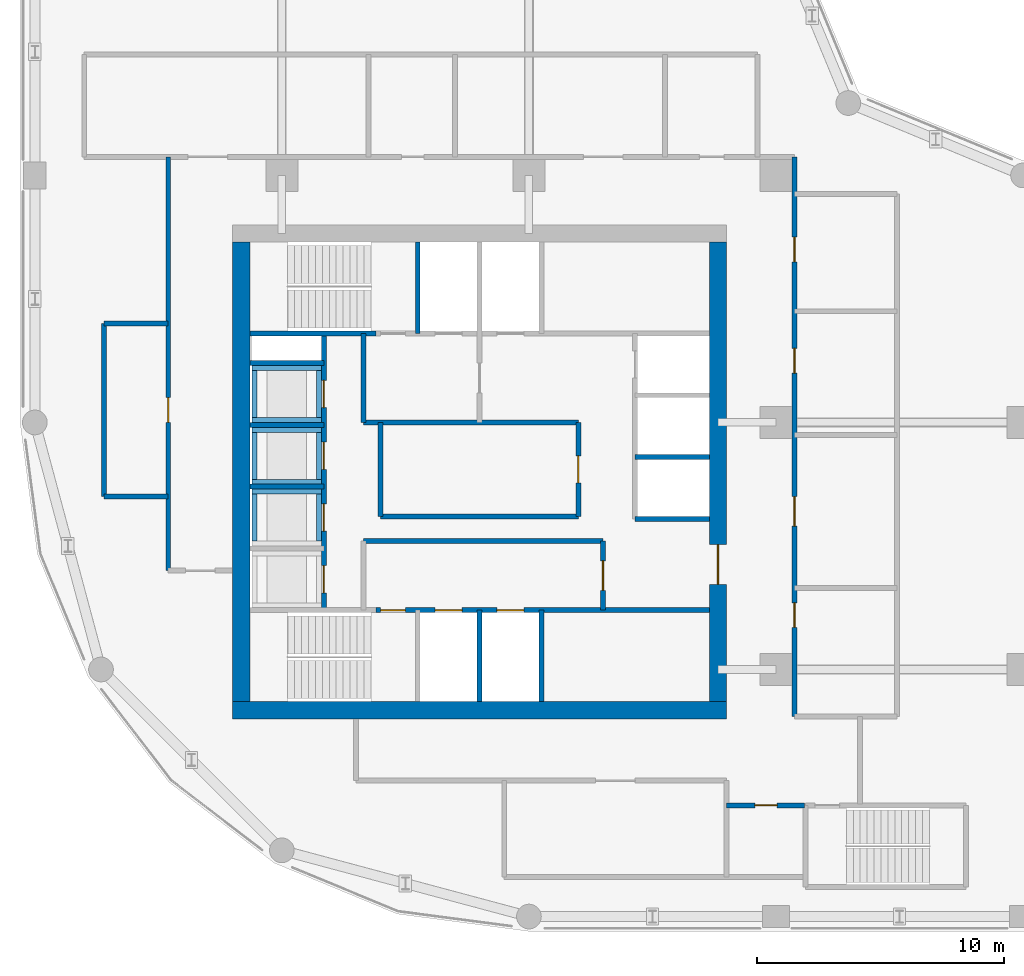
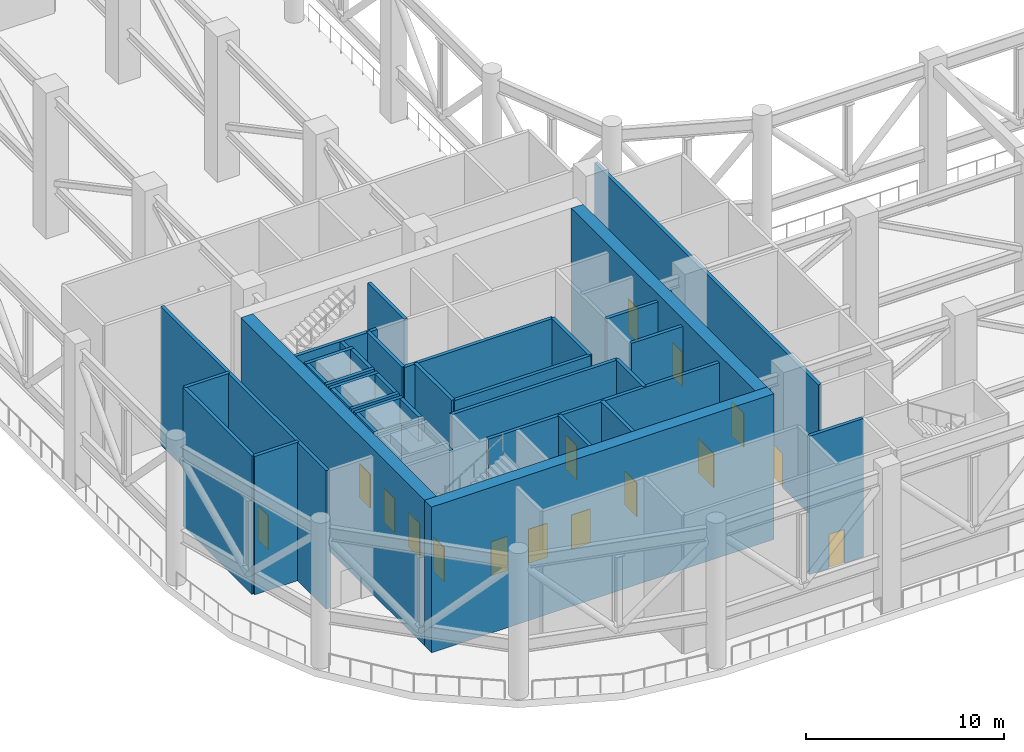
# One storey, part 7 of 13: 38 walls, 16 doors, 16 openings.
"""IFC4 building model written with IfcOpenShell, lengths in metres."""

from ifc_helpers import new_model, si_unit, direction, frame, frame_2d, origin, place, context, subcontext, project, spatial, rectangle, extrude, material, layer, layer_set, type_object, element, fill, save


model = new_model("IFC4")

# Units and contexts
model_context = context("Model", 3, precision=1e-05, world=origin(), true_north=direction((0.0, 1.0)))
body_context = subcontext(model_context, "Body", "Model", "MODEL_VIEW")
ifc_project = project(units=[si_unit("LENGTHUNIT", "METRE"), si_unit("AREAUNIT", "SQUARE_METRE"), si_unit("VOLUMEUNIT", "CUBIC_METRE"), si_unit("PLANEANGLEUNIT", "RADIAN"), si_unit("MASSUNIT", "GRAM", prefix="KILO")], contexts=[model_context])

# Site, building, storey
site_placement = place(None, origin())
site = spatial("IfcSite", under=ifc_project, at=site_placement, CompositionType="ELEMENT")
building_placement = place(site_placement, origin())
building = spatial("IfcBuilding", under=site, at=building_placement, Name="Qaws Garden Tower", CompositionType="ELEMENT")
storey_placement = place(building_placement, frame((0.0, 0.0, 237.0)))
storey = spatial("IfcBuildingStorey", under=building, at=storey_placement, Name="L58", CompositionType="ELEMENT", Elevation=237.0)

# Wall, openings, doors
ifc_material_1 = material(Name="Concrete C70", Category="concrete")
ifc_layer_1 = layer(ifc_material_1, 0.199951171875)
ifc_layer_set_1 = layer_set([ifc_layer_1], Name="Concrete C70")
wall_type_1 = type_object("IfcWallType", Name="Core shaft wall 200 C70", PredefinedType="SHEAR", material=ifc_layer_set_1)
wall_1_placement = place(storey_placement, frame((13.800048828125, 12.39990234375, 0.0), z_axis=(0.0, 0.0, 1.0), x_axis=(1.0, 0.0, 0.0)))
wall_1 = element("IfcWall", 1, at=wall_1_placement, inside=storey, type_object=wall_type_1, Name="Shaft wall", PredefinedType="SHEAR", context=body_context, shape_type="SweptSolid", body=[
    extrude(rectangle(XDim=13.5, YDim=0.199951171875, at=frame_2d((6.75, 0.0))), origin(), (0.0, 0.0, 1.0), 8.550048828125),
])
opening_1_placement = place(wall_1_placement, frame((2.39990234375, 0.0, 0.0)))
opening_1 = element("IfcOpeningElement", 2, at=opening_1_placement, cuts=wall_1, Name="Opening LD06", PredefinedType="OPENING", context=body_context, shape_type="SweptSolid", body=[
    extrude(rectangle(XDim=1.10009765625, YDim=2.10009765625, at=frame_2d((0.550048828125, 1.050048828125))), frame((0.0, 0.10986328125, 0.0), z_axis=(0.0, -1.0, 0.0), x_axis=(1.0, 0.0, 0.0)), (0.0, 0.0, 1.0), 0.219970703125),
])
opening_2_placement = place(wall_1_placement, frame((4.89990234375, 0.0, 0.0)))
opening_2 = element("IfcOpeningElement", 3, at=opening_2_placement, cuts=wall_1, Name="Opening LD07", PredefinedType="OPENING", context=body_context, shape_type="SweptSolid", body=[
    extrude(rectangle(XDim=1.10009765625, YDim=2.10009765625, at=frame_2d((0.550048828125, 1.050048828125))), frame((0.0, 0.10986328125, 0.0), z_axis=(0.0, -1.0, 0.0), x_axis=(1.0, 0.0, 0.0)), (0.0, 0.0, 1.0), 0.219970703125),
])
opening_3_placement = place(wall_1_placement, frame((0.199951171875, 0.0, 0.0)))
opening_3 = element("IfcOpeningElement", 4, at=opening_3_placement, cuts=wall_1, Name="Opening SD10", PredefinedType="OPENING", context=body_context, shape_type="SweptSolid", body=[
    extrude(rectangle(XDim=1.0, YDim=2.10009765625, at=frame_2d((0.5, 1.050048828125))), frame((0.0, 0.10986328125, 0.0), z_axis=(0.0, -1.0, 0.0), x_axis=(1.0, 0.0, 0.0)), (0.0, 0.0, 1.0), 0.219970703125),
])
ifc_material_2 = material(Name="Steel S235", Category="steel")
door_type_1 = type_object("IfcDoorType", Name="Landing door 1100x2100", OperationType="DOUBLE_DOOR_SLIDING", PredefinedType="DOOR", material=ifc_material_2)
door_1_placement = place(opening_1_placement, origin())
door_1 = element("IfcDoor", 5, at=door_1_placement, inside=storey, type_object=door_type_1, Name="Lift FF1 landing door", OperationType="DOUBLE_DOOR_SLIDING", OverallHeight=2.10009765625, OverallWidth=1.10009765625, PredefinedType="DOOR", context=body_context, shape_type="SweptSolid", body=[
    extrude(rectangle(XDim=1.10009765625, YDim=2.10009765625, at=frame_2d((0.550048828125, 1.050048828125))), frame((0.0, 0.02490234375, 0.0), z_axis=(0.0, -1.0, 0.0), x_axis=(1.0, 0.0, 0.0)), (0.0, 0.0, 1.0), 0.050048828125),
])
fill(opening_1, door_1)
door_2_placement = place(opening_2_placement, origin())
door_2 = element("IfcDoor", 6, at=door_2_placement, inside=storey, type_object=door_type_1, Name="Lift FF2 landing door", OperationType="DOUBLE_DOOR_SLIDING", OverallHeight=2.10009765625, OverallWidth=1.10009765625, PredefinedType="DOOR", context=body_context, shape_type="SweptSolid", body=[
    extrude(rectangle(XDim=1.10009765625, YDim=2.10009765625, at=frame_2d((0.550048828125, 1.050048828125))), frame((0.0, 0.02490234375, 0.0), z_axis=(0.0, -1.0, 0.0), x_axis=(1.0, 0.0, 0.0)), (0.0, 0.0, 1.0), 0.050048828125),
])
fill(opening_2, door_2)
ifc_material_3 = material(Name="Steel S235", Category="steel")
door_type_2 = type_object("IfcDoorType", Name="Stair door 1000x2100", OperationType="SINGLE_SWING_RIGHT", PredefinedType="DOOR", material=ifc_material_3)
door_3_placement = place(opening_3_placement, origin())
door_3 = element("IfcDoor", 7, at=door_3_placement, inside=storey, type_object=door_type_2, Name="Stair 1 door", OperationType="SINGLE_SWING_LEFT", OverallHeight=2.10009765625, OverallWidth=1.0, PredefinedType="DOOR", context=body_context, shape_type="SweptSolid", body=[
    extrude(rectangle(XDim=1.0, YDim=2.10009765625, at=frame_2d((0.5, 1.050048828125))), frame((0.0, 0.02490234375, 0.0), z_axis=(0.0, -1.0, 0.0), x_axis=(1.0, 0.0, 0.0)), (0.0, 0.0, 1.0), 0.050048828125),
])
fill(opening_3, door_3)

# Walls
wall_2_placement = place(storey_placement, frame((13.300048828125, 15.199951171875, 0.0), z_axis=(0.0, 0.0, 1.0), x_axis=(1.0, 0.0, 0.0)))
element("IfcWall", 8, at=wall_2_placement, inside=storey, type_object=wall_type_1, Name="Shaft wall", PredefinedType="SHEAR", context=body_context, shape_type="SweptSolid", body=[
    extrude(rectangle(XDim=9.699951171875, YDim=0.199951171875, at=frame_2d((4.85009765625, 0.0))), origin(), (0.0, 0.0, 1.0), 8.550048828125),
])
wall_3_placement = place(storey_placement, frame((24.300048828125, 16.10009765625, 0.0), z_axis=(0.0, 0.0, 1.0), x_axis=(1.0, 0.0, 0.0)))
element("IfcWall", 9, at=wall_3_placement, inside=storey, type_object=wall_type_1, Name="Shaft wall", PredefinedType="SHEAR", context=body_context, shape_type="SweptSolid", body=[
    extrude(rectangle(XDim=3.0, YDim=0.199951171875, at=frame_2d((1.5, 0.0))), origin(), (0.0, 0.0, 1.0), 8.550048828125),
])
wall_4_placement = place(storey_placement, frame((14.0, 16.199951171875, 0.0), z_axis=(0.0, 0.0, 1.0), x_axis=(1.0, 0.0, 0.0)))
element("IfcWall", 10, at=wall_4_placement, inside=storey, type_object=wall_type_1, Name="Shaft wall", PredefinedType="SHEAR", context=body_context, shape_type="SweptSolid", body=[
    extrude(rectangle(XDim=8.0, YDim=0.199951171875, at=frame_2d((4.0, 0.0))), origin(), (0.0, 0.0, 1.0), 8.550048828125),
])
for number, where, z_axis, x_axis, name in (
    (11, (8.699951171875, 17.39990234375, 0.0), (0.0, 0.0, 1.0), (1.0, 0.0, 0.0), "Shaft wall"),
    (12, (24.300048828125, 18.60009765625, 0.0), (0.0, 0.0, 1.0), (1.0, 0.0, 0.0), "Shaft wall"),
    (13, (8.699951171875, 19.89990234375, 0.0), (0.0, 0.0, 1.0), (1.0, 0.0, 0.0), "Shaft wall"),
):
    element("IfcWall", number, at=place(storey_placement, frame(where, z_axis=z_axis, x_axis=x_axis)), inside=storey, type_object=wall_type_1, Name=name, PredefinedType="SHEAR", context=body_context, shape_type="SweptSolid", body=[
        extrude(rectangle(XDim=3.0, YDim=0.199951171875, at=frame_2d((1.5, 0.0))), origin(), (0.0, 0.0, 1.0), 8.550048828125),
    ])
wall_5_placement = place(storey_placement, frame((13.300048828125, 20.0, 0.0), z_axis=(0.0, 0.0, 1.0), x_axis=(1.0, 0.0, 0.0)))
element("IfcWall", 14, at=wall_5_placement, inside=storey, type_object=wall_type_1, Name="Shaft wall", PredefinedType="SHEAR", context=body_context, shape_type="SweptSolid", body=[
    extrude(rectangle(XDim=8.699951171875, YDim=0.199951171875, at=frame_2d((4.35009765625, 0.0))), origin(), (0.0, 0.0, 1.0), 8.550048828125),
])
wall_6_placement = place(storey_placement, frame((8.699951171875, 22.39990234375, 0.0), z_axis=(0.0, 0.0, 1.0), x_axis=(1.0, 0.0, 0.0)))
element("IfcWall", 15, at=wall_6_placement, inside=storey, type_object=wall_type_1, Name="Shaft wall", PredefinedType="SHEAR", context=body_context, shape_type="SweptSolid", body=[
    extrude(rectangle(XDim=3.0, YDim=0.199951171875, at=frame_2d((1.5, 0.0))), origin(), (0.0, 0.0, 1.0), 8.550048828125),
])
wall_7_placement = place(storey_placement, frame((8.699951171875, 23.60009765625, 0.0), z_axis=(0.0, 0.0, 1.0), x_axis=(1.0, 0.0, 0.0)))
element("IfcWall", 16, at=wall_7_placement, inside=storey, type_object=wall_type_1, Name="Shaft wall", PredefinedType="SHEAR", context=body_context, shape_type="SweptSolid", body=[
    extrude(rectangle(XDim=5.10009765625, YDim=0.199951171875, at=frame_2d((2.550048828125, 0.0))), origin(), (0.0, 0.0, 1.0), 8.550048828125),
])

# Wall, openings, doors
wall_8_placement = place(storey_placement, frame((11.699951171875, 12.39990234375, 0.0), z_axis=(0.0, 0.0, 1.0), x_axis=(0.0, 1.0, 0.0)))
wall_8 = element("IfcWall", 17, at=wall_8_placement, inside=storey, type_object=wall_type_1, Name="Shaft wall", PredefinedType="SHEAR", context=body_context, shape_type="SweptSolid", body=[
    extrude(rectangle(XDim=11.2001953125, YDim=0.199951171875, at=frame_2d((5.60009765625, 0.0))), origin(), (0.0, 0.0, 1.0), 8.550048828125),
])
opening_4_placement = place(wall_8_placement, frame((0.699951171875, 0.0, 0.0)))
opening_4 = element("IfcOpeningElement", 18, at=opening_4_placement, cuts=wall_8, Name="Opening LD01", PredefinedType="OPENING", context=body_context, shape_type="SweptSolid", body=[
    extrude(rectangle(XDim=1.10009765625, YDim=2.10009765625, at=frame_2d((0.550048828125, 1.050048828125))), frame((0.0, 0.10986328125, 0.0), z_axis=(0.0, -1.0, 0.0), x_axis=(1.0, 0.0, 0.0)), (0.0, 0.0, 1.0), 0.219970703125),
])
opening_5_placement = place(wall_8_placement, frame((3.199951171875, 0.0, 0.0)))
opening_5 = element("IfcOpeningElement", 19, at=opening_5_placement, cuts=wall_8, Name="Opening LD02", PredefinedType="OPENING", context=body_context, shape_type="SweptSolid", body=[
    extrude(rectangle(XDim=1.10009765625, YDim=2.10009765625, at=frame_2d((0.550048828125, 1.050048828125))), frame((0.0, 0.10986328125, 0.0), z_axis=(0.0, -1.0, 0.0), x_axis=(1.0, 0.0, 0.0)), (0.0, 0.0, 1.0), 0.219970703125),
])
opening_6_placement = place(wall_8_placement, frame((5.699951171875, 0.0, 0.0)))
opening_6 = element("IfcOpeningElement", 20, at=opening_6_placement, cuts=wall_8, Name="Opening LD03", PredefinedType="OPENING", context=body_context, shape_type="SweptSolid", body=[
    extrude(rectangle(XDim=1.10009765625, YDim=2.10009765625, at=frame_2d((0.550048828125, 1.050048828125))), frame((0.0, 0.10986328125, 0.0), z_axis=(0.0, -1.0, 0.0), x_axis=(1.0, 0.0, 0.0)), (0.0, 0.0, 1.0), 0.219970703125),
])
opening_7_placement = place(wall_8_placement, frame((8.199951171875, 0.0, 0.0)))
opening_7 = element("IfcOpeningElement", 21, at=opening_7_placement, cuts=wall_8, Name="Opening LD04", PredefinedType="OPENING", context=body_context, shape_type="SweptSolid", body=[
    extrude(rectangle(XDim=1.10009765625, YDim=2.10009765625, at=frame_2d((0.550048828125, 1.050048828125))), frame((0.0, 0.10986328125, 0.0), z_axis=(0.0, -1.0, 0.0), x_axis=(1.0, 0.0, 0.0)), (0.0, 0.0, 1.0), 0.219970703125),
])
door_4_placement = place(opening_4_placement, origin())
door_4 = element("IfcDoor", 22, at=door_4_placement, inside=storey, type_object=door_type_1, Name="Lift W1 landing door", OperationType="DOUBLE_DOOR_SLIDING", OverallHeight=2.10009765625, OverallWidth=1.10009765625, PredefinedType="DOOR", context=body_context, shape_type="SweptSolid", body=[
    extrude(rectangle(XDim=1.10009765625, YDim=2.10009765625, at=frame_2d((0.550048828125, 1.050048828125))), frame((0.0, 0.02490234375, 0.0), z_axis=(0.0, -1.0, 0.0), x_axis=(1.0, 0.0, 0.0)), (0.0, 0.0, 1.0), 0.050048828125),
])
fill(opening_4, door_4)
door_5_placement = place(opening_5_placement, origin())
door_5 = element("IfcDoor", 23, at=door_5_placement, inside=storey, type_object=door_type_1, Name="Lift W2 landing door", OperationType="DOUBLE_DOOR_SLIDING", OverallHeight=2.10009765625, OverallWidth=1.10009765625, PredefinedType="DOOR", context=body_context, shape_type="SweptSolid", body=[
    extrude(rectangle(XDim=1.10009765625, YDim=2.10009765625, at=frame_2d((0.550048828125, 1.050048828125))), frame((0.0, 0.02490234375, 0.0), z_axis=(0.0, -1.0, 0.0), x_axis=(1.0, 0.0, 0.0)), (0.0, 0.0, 1.0), 0.050048828125),
])
fill(opening_5, door_5)
door_6_placement = place(opening_6_placement, origin())
door_6 = element("IfcDoor", 24, at=door_6_placement, inside=storey, type_object=door_type_1, Name="Lift W3 landing door", OperationType="DOUBLE_DOOR_SLIDING", OverallHeight=2.10009765625, OverallWidth=1.10009765625, PredefinedType="DOOR", context=body_context, shape_type="SweptSolid", body=[
    extrude(rectangle(XDim=1.10009765625, YDim=2.10009765625, at=frame_2d((0.550048828125, 1.050048828125))), frame((0.0, 0.02490234375, 0.0), z_axis=(0.0, -1.0, 0.0), x_axis=(1.0, 0.0, 0.0)), (0.0, 0.0, 1.0), 0.050048828125),
])
fill(opening_6, door_6)
door_7_placement = place(opening_7_placement, origin())
door_7 = element("IfcDoor", 25, at=door_7_placement, inside=storey, type_object=door_type_1, Name="Lift W4 landing door", OperationType="DOUBLE_DOOR_SLIDING", OverallHeight=2.10009765625, OverallWidth=1.10009765625, PredefinedType="DOOR", context=body_context, shape_type="SweptSolid", body=[
    extrude(rectangle(XDim=1.10009765625, YDim=2.10009765625, at=frame_2d((0.550048828125, 1.050048828125))), frame((0.0, 0.02490234375, 0.0), z_axis=(0.0, -1.0, 0.0), x_axis=(1.0, 0.0, 0.0)), (0.0, 0.0, 1.0), 0.050048828125),
])
fill(opening_7, door_7)

# Walls
wall_9_placement = place(storey_placement, frame((13.300048828125, 20.0, 0.0), z_axis=(0.0, 0.0, 1.0), x_axis=(0.0, 1.0, 0.0)))
element("IfcWall", 26, at=wall_9_placement, inside=storey, type_object=wall_type_1, Name="Shaft wall", PredefinedType="SHEAR", context=body_context, shape_type="SweptSolid", body=[
    extrude(rectangle(XDim=3.60009765625, YDim=0.199951171875, at=frame_2d((1.800048828125, 0.0))), origin(), (0.0, 0.0, 1.0), 8.550048828125),
])
wall_10_placement = place(storey_placement, frame((14.0, 16.199951171875, 0.0), z_axis=(0.0, 0.0, 1.0), x_axis=(0.0, 1.0, 0.0)))
element("IfcWall", 27, at=wall_10_placement, inside=storey, type_object=wall_type_1, Name="Shaft wall", PredefinedType="SHEAR", context=body_context, shape_type="SweptSolid", body=[
    extrude(rectangle(XDim=3.800048828125, YDim=0.199951171875, at=frame_2d((1.89990234375, 0.0))), origin(), (0.0, 0.0, 1.0), 8.550048828125),
])
for number, where, z_axis, x_axis, name in (
    (28, (15.5, 23.60009765625, 0.0), (0.0, 0.0, 1.0), (0.0, 1.0, 0.0), "Shaft wall"),
    (29, (18.0, 8.699951171875, 0.0), (0.0, 0.0, 1.0), (0.0, 1.0, 0.0), "Shaft wall"),
    (30, (20.5, 8.699951171875, 0.0), (0.0, 0.0, 1.0), (0.0, 1.0, 0.0), "Shaft wall"),
):
    element("IfcWall", number, at=place(storey_placement, frame(where, z_axis=z_axis, x_axis=x_axis)), inside=storey, type_object=wall_type_1, Name=name, PredefinedType="SHEAR", context=body_context, shape_type="SweptSolid", body=[
        extrude(rectangle(XDim=3.699951171875, YDim=0.199951171875, at=frame_2d((1.85009765625, 0.0))), origin(), (0.0, 0.0, 1.0), 8.550048828125),
    ])

# Wall, opening, door
wall_11_placement = place(storey_placement, frame((22.0, 16.199951171875, 0.0), z_axis=(0.0, 0.0, 1.0), x_axis=(0.0, 1.0, 0.0)))
wall_11 = element("IfcWall", 31, at=wall_11_placement, inside=storey, type_object=wall_type_1, Name="Shaft wall", PredefinedType="SHEAR", context=body_context, shape_type="SweptSolid", body=[
    extrude(rectangle(XDim=3.800048828125, YDim=0.199951171875, at=frame_2d((1.89990234375, 0.0))), origin(), (0.0, 0.0, 1.0), 8.550048828125),
])
opening_8_placement = place(wall_11_placement, frame((1.35009765625, 0.0, 0.0)))
opening_8 = element("IfcOpeningElement", 32, at=opening_8_placement, cuts=wall_11, Name="Opening XD17", PredefinedType="OPENING", context=body_context, shape_type="SweptSolid", body=[
    extrude(rectangle(XDim=1.10009765625, YDim=2.10009765625, at=frame_2d((0.550048828125, 1.050048828125))), frame((0.0, 0.10986328125, 0.0), z_axis=(0.0, -1.0, 0.0), x_axis=(1.0, 0.0, 0.0)), (0.0, 0.0, 1.0), 0.219970703125),
])
ifc_material_4 = material(Name="Timber", Category="wood")
door_type_3 = type_object("IfcDoorType", Name="WC lobby door 1100x2100", OperationType="SINGLE_SWING_LEFT", PredefinedType="DOOR", material=ifc_material_4)
door_8_placement = place(opening_8_placement, origin())
door_8 = element("IfcDoor", 33, at=door_8_placement, inside=storey, type_object=door_type_3, Name="Plant room door", OperationType="SINGLE_SWING_RIGHT", OverallHeight=2.10009765625, OverallWidth=1.10009765625, PredefinedType="DOOR", context=body_context, shape_type="SweptSolid", body=[
    extrude(rectangle(XDim=1.10009765625, YDim=2.10009765625, at=frame_2d((0.550048828125, 1.050048828125))), frame((0.0, 0.02490234375, 0.0), z_axis=(0.0, -1.0, 0.0), x_axis=(1.0, 0.0, 0.0)), (0.0, 0.0, 1.0), 0.050048828125),
])
fill(opening_8, door_8)

wall_12_placement = place(storey_placement, frame((23.0, 12.39990234375, 0.0), z_axis=(0.0, 0.0, 1.0), x_axis=(0.0, 1.0, 0.0)))
wall_12 = element("IfcWall", 34, at=wall_12_placement, inside=storey, type_object=wall_type_1, Name="Shaft wall", PredefinedType="SHEAR", context=body_context, shape_type="SweptSolid", body=[
    extrude(rectangle(XDim=2.800048828125, YDim=0.199951171875, at=frame_2d((1.39990234375, 0.0))), origin(), (0.0, 0.0, 1.0), 8.550048828125),
])
opening_9_placement = place(wall_12_placement, frame((0.800048828125, 0.0, 0.0)))
opening_9 = element("IfcOpeningElement", 35, at=opening_9_placement, cuts=wall_12, Name="Opening FD15", PredefinedType="OPENING", context=body_context, shape_type="SweptSolid", body=[
    extrude(rectangle(XDim=1.199951171875, YDim=2.10009765625, at=frame_2d((0.60009765625, 1.050048828125))), frame((0.0, 0.10986328125, 0.0), z_axis=(0.0, -1.0, 0.0), x_axis=(1.0, 0.0, 0.0)), (0.0, 0.0, 1.0), 0.219970703125),
])
ifc_material_5 = material(Name="Steel S235", Category="steel")
door_type_4 = type_object("IfcDoorType", Name="Lobby door 1200x2100", OperationType="DOUBLE_DOOR_SINGLE_SWING", PredefinedType="DOOR", material=ifc_material_5)
door_9_placement = place(opening_9_placement, origin())
door_9 = element("IfcDoor", 36, at=door_9_placement, inside=storey, type_object=door_type_4, Name="Fire-fighting lobby door", OperationType="DOUBLE_DOOR_SINGLE_SWING", OverallHeight=2.10009765625, OverallWidth=1.199951171875, PredefinedType="DOOR", context=body_context, shape_type="SweptSolid", body=[
    extrude(rectangle(XDim=1.199951171875, YDim=2.10009765625, at=frame_2d((0.60009765625, 1.050048828125))), frame((0.0, 0.02490234375, 0.0), z_axis=(0.0, -1.0, 0.0), x_axis=(1.0, 0.0, 0.0)), (0.0, 0.0, 1.0), 0.050048828125),
])
fill(opening_9, door_9)

# Wall
ifc_material_6 = material(Name="Concrete C70", Category="concrete")
ifc_layer_2 = layer(ifc_material_6, 0.699951171875)
ifc_layer_set_2 = layer_set([ifc_layer_2], Name="Concrete C70")
wall_type_2 = type_object("IfcWallType", Name="Core wall 700 C70", PredefinedType="SHEAR", material=ifc_layer_set_2)
wall_13_placement = place(storey_placement, frame((8.0, 8.35009765625, 0.0), z_axis=(0.0, 0.0, 1.0), x_axis=(1.0, 0.0, 0.0)))
element("IfcWall", 37, at=wall_13_placement, inside=storey, type_object=wall_type_2, Name="Core wall L58 south", PredefinedType="SHEAR", context=body_context, shape_type="SweptSolid", body=[
    extrude(rectangle(XDim=20.0, YDim=0.699951171875, at=frame_2d((10.0, 0.0))), origin(), (0.0, 0.0, 1.0), 9.0),
])

# Wall, opening, door
wall_14_placement = place(storey_placement, frame((27.64990234375, 8.699951171875, 0.0), z_axis=(0.0, 0.0, 1.0), x_axis=(0.0, 1.0, 0.0)))
wall_14 = element("IfcWall", 38, at=wall_14_placement, inside=storey, type_object=wall_type_2, Name="Core wall L58 east", PredefinedType="SHEAR", context=body_context, shape_type="SweptSolid", body=[
    extrude(rectangle(XDim=18.60009765625, YDim=0.699951171875, at=frame_2d((9.300048828125, 0.0))), origin(), (0.0, 0.0, 1.0), 9.0),
])
opening_10_placement = place(wall_14_placement, frame((4.75, 0.0, 0.0)))
opening_10 = element("IfcOpeningElement", 39, at=opening_10_placement, cuts=wall_14, Name="Opening ED18", PredefinedType="OPENING", context=body_context, shape_type="SweptSolid", body=[
    extrude(rectangle(XDim=1.60009765625, YDim=2.10009765625, at=frame_2d((0.800048828125, 1.050048828125))), frame((0.0, 0.35986328125, 0.0), z_axis=(0.0, -1.0, 0.0), x_axis=(1.0, 0.0, 0.0)), (0.0, 0.0, 1.0), 0.719970703125),
])
ifc_material_7 = material(Name="Steel S235", Category="steel")
door_type_5 = type_object("IfcDoorType", Name="Core entrance door 1600x2100", OperationType="DOUBLE_DOOR_SINGLE_SWING", PredefinedType="DOOR", material=ifc_material_7)
door_10_placement = place(opening_10_placement, origin())
door_10 = element("IfcDoor", 40, at=door_10_placement, inside=storey, type_object=door_type_5, Name="Core entrance door", OperationType="DOUBLE_DOOR_SINGLE_SWING", OverallHeight=2.10009765625, OverallWidth=1.60009765625, PredefinedType="DOOR", context=body_context, shape_type="SweptSolid", body=[
    extrude(rectangle(XDim=1.60009765625, YDim=2.10009765625, at=frame_2d((0.800048828125, 1.050048828125))), frame((0.0, 0.02490234375, 0.0), z_axis=(0.0, -1.0, 0.0), x_axis=(1.0, 0.0, 0.0)), (0.0, 0.0, 1.0), 0.050048828125),
])
fill(opening_10, door_10)

# Walls
wall_15_placement = place(storey_placement, frame((8.35009765625, 27.300048828125, 0.0), z_axis=(0.0, 0.0, 1.0), x_axis=(0.0, -1.0, 0.0)))
element("IfcWall", 41, at=wall_15_placement, inside=storey, type_object=wall_type_2, Name="Core wall L58 west", PredefinedType="SHEAR", context=body_context, shape_type="SweptSolid", body=[
    extrude(rectangle(XDim=18.60009765625, YDim=0.699951171875, at=frame_2d((9.300048828125, 0.0))), origin(), (0.0, 0.0, 1.0), 9.0),
])
ifc_material_8 = material(Name="Concrete C60", Category="concrete")
ifc_layer_3 = layer(ifc_material_8, 0.199951171875)
ifc_layer_set_3 = layer_set([ifc_layer_3], Name="Concrete C60")
wall_type_3 = type_object("IfcWallType", Name="Lift pit wall 200", PredefinedType="SOLIDWALL", material=ifc_layer_set_3)
wall_16_placement = place(storey_placement, frame((8.800048828125, 17.199951171875, 7.5), z_axis=(0.0, 0.0, 1.0), x_axis=(1.0, 0.0, 0.0)))
element("IfcWall", 42, at=wall_16_placement, inside=storey, type_object=wall_type_3, Name="Lift W2 pit wall", PredefinedType="SOLIDWALL", context=body_context, shape_type="SweptSolid", body=[
    extrude(rectangle(XDim=2.800048828125, YDim=0.199951171875, at=frame_2d((1.39990234375, 0.0))), origin(), (0.0, 0.0, 1.0), 1.5),
])
for number, where, z_axis, x_axis, name in (
    (43, (8.89990234375, 15.199951171875, 7.5), (0.0, 0.0, 1.0), (0.0, 1.0, 0.0), "Lift W2 pit wall"),
    (44, (11.5, 15.199951171875, 7.5), (0.0, 0.0, 1.0), (0.0, 1.0, 0.0), "Lift W2 pit wall"),
):
    element("IfcWall", number, at=place(storey_placement, frame(where, z_axis=z_axis, x_axis=x_axis)), inside=storey, type_object=wall_type_3, Name=name, PredefinedType="SOLIDWALL", context=body_context, shape_type="SweptSolid", body=[
        extrude(rectangle(XDim=1.900146484375, YDim=0.199951171875, at=frame_2d((0.9501953125, 0.0))), origin(), (0.0, 0.0, 1.0), 1.5),
    ])
for number, where, z_axis, x_axis, name in (
    (45, (8.800048828125, 17.60009765625, 7.5), (0.0, 0.0, 1.0), (1.0, 0.0, 0.0), "Lift W3 pit wall"),
    (46, (8.800048828125, 19.699951171875, 7.5), (0.0, 0.0, 1.0), (1.0, 0.0, 0.0), "Lift W3 pit wall"),
):
    element("IfcWall", number, at=place(storey_placement, frame(where, z_axis=z_axis, x_axis=x_axis)), inside=storey, type_object=wall_type_3, Name=name, PredefinedType="SOLIDWALL", context=body_context, shape_type="SweptSolid", body=[
        extrude(rectangle(XDim=2.800048828125, YDim=0.199951171875, at=frame_2d((1.39990234375, 0.0))), origin(), (0.0, 0.0, 1.0), 1.5),
    ])
for number, where, z_axis, x_axis, name in (
    (47, (8.89990234375, 17.699951171875, 7.5), (0.0, 0.0, 1.0), (0.0, 1.0, 0.0), "Lift W3 pit wall"),
    (48, (11.5, 17.699951171875, 7.5), (0.0, 0.0, 1.0), (0.0, 1.0, 0.0), "Lift W3 pit wall"),
):
    element("IfcWall", number, at=place(storey_placement, frame(where, z_axis=z_axis, x_axis=x_axis)), inside=storey, type_object=wall_type_3, Name=name, PredefinedType="SOLIDWALL", context=body_context, shape_type="SweptSolid", body=[
        extrude(rectangle(XDim=1.900146484375, YDim=0.199951171875, at=frame_2d((0.9501953125, 0.0))), origin(), (0.0, 0.0, 1.0), 1.5),
    ])
for number, where, z_axis, x_axis, name in (
    (49, (8.800048828125, 20.10009765625, 7.5), (0.0, 0.0, 1.0), (1.0, 0.0, 0.0), "Lift W4 pit wall"),
    (50, (8.800048828125, 22.199951171875, 7.5), (0.0, 0.0, 1.0), (1.0, 0.0, 0.0), "Lift W4 pit wall"),
):
    element("IfcWall", number, at=place(storey_placement, frame(where, z_axis=z_axis, x_axis=x_axis)), inside=storey, type_object=wall_type_3, Name=name, PredefinedType="SOLIDWALL", context=body_context, shape_type="SweptSolid", body=[
        extrude(rectangle(XDim=2.800048828125, YDim=0.199951171875, at=frame_2d((1.39990234375, 0.0))), origin(), (0.0, 0.0, 1.0), 1.5),
    ])
for number, where, z_axis, x_axis, name in (
    (51, (8.89990234375, 20.199951171875, 7.5), (0.0, 0.0, 1.0), (0.0, 1.0, 0.0), "Lift W4 pit wall"),
    (52, (11.5, 20.199951171875, 7.5), (0.0, 0.0, 1.0), (0.0, 1.0, 0.0), "Lift W4 pit wall"),
):
    element("IfcWall", number, at=place(storey_placement, frame(where, z_axis=z_axis, x_axis=x_axis)), inside=storey, type_object=wall_type_3, Name=name, PredefinedType="SOLIDWALL", context=body_context, shape_type="SweptSolid", body=[
        extrude(rectangle(XDim=1.900146484375, YDim=0.199951171875, at=frame_2d((0.9501953125, 0.0))), origin(), (0.0, 0.0, 1.0), 1.5),
    ])
ifc_material_9 = material(Name="Blockwork", Category="masonry")
ifc_layer_4 = layer(ifc_material_9, 0.199951171875)
ifc_layer_set_4 = layer_set([ifc_layer_4], Name="Blockwork")
wall_type_4 = type_object("IfcWallType", Name="Plant compartment wall 200", PredefinedType="PARTITIONING", material=ifc_layer_set_4)
for number, where, z_axis, x_axis, name in (
    (53, (2.800048828125, 17.0, 0.0), (0.0, 0.0, 1.0), (1.0, 0.0, 0.0), "Plant zone wall"),
    (54, (2.800048828125, 24.0, 0.0), (0.0, 0.0, 1.0), (1.0, 0.0, 0.0), "Plant zone wall"),
):
    element("IfcWall", number, at=place(storey_placement, frame(where, z_axis=z_axis, x_axis=x_axis)), inside=storey, type_object=wall_type_4, Name=name, PredefinedType="PARTITIONING", context=body_context, shape_type="SweptSolid", body=[
        extrude(rectangle(XDim=2.599853515625, YDim=0.199951171875, at=frame_2d((1.2998046875, 0.0))), origin(), (0.0, 0.0, 1.0), 8.550048828125),
    ])

# Wall, opening, door
wall_17_placement = place(storey_placement, frame((28.0, 4.5, 0.0), z_axis=(0.0, 0.0, 1.0), x_axis=(1.0, 0.0, 0.0)))
wall_17 = element("IfcWall", 55, at=wall_17_placement, inside=storey, type_object=wall_type_4, Name="Plant zone wall", PredefinedType="PARTITIONING", context=body_context, shape_type="SweptSolid", body=[
    extrude(rectangle(XDim=3.14990234375, YDim=0.199951171875, at=frame_2d((1.574951171875, 0.0))), origin(), (0.0, 0.0, 1.0), 8.550048828125),
])
opening_11_placement = place(wall_17_placement, frame((1.14990234375, 0.0, 0.0)))
opening_11 = element("IfcOpeningElement", 56, at=opening_11_placement, cuts=wall_17, Name="Opening PZ5811", PredefinedType="OPENING", context=body_context, shape_type="SweptSolid", body=[
    extrude(rectangle(XDim=0.89990234375, YDim=2.10009765625, at=frame_2d((0.449951171875, 1.050048828125))), frame((0.0, 0.10986328125, 0.0), z_axis=(0.0, -1.0, 0.0), x_axis=(1.0, 0.0, 0.0)), (0.0, 0.0, 1.0), 0.219970703125),
])
ifc_material_10 = material(Name="Steel S235", Category="steel")
door_type_6 = type_object("IfcDoorType", Name="Plant door 900x2100", OperationType="SINGLE_SWING_LEFT", PredefinedType="DOOR", material=ifc_material_10)
door_11_placement = place(opening_11_placement, frame((0.89990234375, 0.0, 0.0), z_axis=(0.0, 0.0, 1.0), x_axis=(-1.0, 0.0, 0.0)))
door_11 = element("IfcDoor", 57, at=door_11_placement, inside=storey, type_object=door_type_6, Name="Plant store door", OperationType="SINGLE_SWING_LEFT", OverallHeight=2.10009765625, OverallWidth=0.89990234375, PredefinedType="DOOR", context=body_context, shape_type="SweptSolid", body=[
    extrude(rectangle(XDim=0.89990234375, YDim=2.10009765625, at=frame_2d((0.449951171875, 1.050048828125))), frame((0.0, 0.02490234375, 0.0), z_axis=(0.0, -1.0, 0.0), x_axis=(1.0, 0.0, 0.0)), (0.0, 0.0, 1.0), 0.050048828125),
])
fill(opening_11, door_11)

# Wall
wall_18_placement = place(storey_placement, frame((2.800048828125, 17.0, 0.0), z_axis=(0.0, 0.0, 1.0), x_axis=(0.0, 1.0, 0.0)))
element("IfcWall", 58, at=wall_18_placement, inside=storey, type_object=wall_type_4, Name="Plant zone wall", PredefinedType="PARTITIONING", context=body_context, shape_type="SweptSolid", body=[
    extrude(rectangle(XDim=7.0, YDim=0.199951171875, at=frame_2d((3.5, 0.0))), origin(), (0.0, 0.0, 1.0), 8.550048828125),
])

# Wall, opening, door
wall_19_placement = place(storey_placement, frame((5.39990234375, 14.0, 0.0), z_axis=(0.0, 0.0, 1.0), x_axis=(0.0, 1.0, 0.0)))
wall_19 = element("IfcWall", 59, at=wall_19_placement, inside=storey, type_object=wall_type_4, Name="Plant zone wall", PredefinedType="PARTITIONING", context=body_context, shape_type="SweptSolid", body=[
    extrude(rectangle(XDim=16.75, YDim=0.199951171875, at=frame_2d((8.375, 0.0))), origin(), (0.0, 0.0, 1.0), 8.550048828125),
])
opening_12_placement = place(wall_19_placement, frame((6.0, 0.0, 0.0)))
opening_12 = element("IfcOpeningElement", 60, at=opening_12_placement, cuts=wall_19, Name="Opening PZ5809", PredefinedType="OPENING", context=body_context, shape_type="SweptSolid", body=[
    extrude(rectangle(XDim=1.0, YDim=2.10009765625, at=frame_2d((0.5, 1.050048828125))), frame((0.0, 0.10986328125, 0.0), z_axis=(0.0, -1.0, 0.0), x_axis=(1.0, 0.0, 0.0)), (0.0, 0.0, 1.0), 0.219970703125),
])
ifc_material_11 = material(Name="Steel S235", Category="steel")
door_type_7 = type_object("IfcDoorType", Name="Plant door 1000x2100", OperationType="SINGLE_SWING_LEFT", PredefinedType="DOOR", material=ifc_material_11)
door_12_placement = place(opening_12_placement, origin())
door_12 = element("IfcDoor", 61, at=door_12_placement, inside=storey, type_object=door_type_7, Name="Plant store door", OperationType="SINGLE_SWING_RIGHT", OverallHeight=2.10009765625, OverallWidth=1.0, PredefinedType="DOOR", context=body_context, shape_type="SweptSolid", body=[
    extrude(rectangle(XDim=1.0, YDim=2.10009765625, at=frame_2d((0.5, 1.050048828125))), frame((0.0, 0.02490234375, 0.0), z_axis=(0.0, -1.0, 0.0), x_axis=(1.0, 0.0, 0.0)), (0.0, 0.0, 1.0), 0.050048828125),
])
fill(opening_12, door_12)

# Wall, openings, doors
wall_20_placement = place(storey_placement, frame((30.75, 8.10009765625, 0.0), z_axis=(0.0, 0.0, 1.0), x_axis=(0.0, 1.0, 0.0)))
wall_20 = element("IfcWall", 62, at=wall_20_placement, inside=storey, type_object=wall_type_4, Name="Plant zone wall", PredefinedType="PARTITIONING", context=body_context, shape_type="SweptSolid", body=[
    extrude(rectangle(XDim=22.64990234375, YDim=0.199951171875, at=frame_2d((11.324951171875, 0.0))), origin(), (0.0, 0.0, 1.0), 8.550048828125),
])
opening_13_placement = place(wall_20_placement, frame((3.60009765625, 0.0, 0.0)))
opening_13 = element("IfcOpeningElement", 63, at=opening_13_placement, cuts=wall_20, Name="Opening PZ5801", PredefinedType="OPENING", context=body_context, shape_type="SweptSolid", body=[
    extrude(rectangle(XDim=1.0, YDim=2.10009765625, at=frame_2d((0.5, 1.050048828125))), frame((0.0, 0.10986328125, 0.0), z_axis=(0.0, -1.0, 0.0), x_axis=(1.0, 0.0, 0.0)), (0.0, 0.0, 1.0), 0.219970703125),
])
opening_14_placement = place(wall_20_placement, frame((7.699951171875, 0.0, 0.0)))
opening_14 = element("IfcOpeningElement", 64, at=opening_14_placement, cuts=wall_20, Name="Opening PZ5802", PredefinedType="OPENING", context=body_context, shape_type="SweptSolid", body=[
    extrude(rectangle(XDim=1.199951171875, YDim=2.10009765625, at=frame_2d((0.60009765625, 1.050048828125))), frame((0.0, 0.10986328125, 0.0), z_axis=(0.0, -1.0, 0.0), x_axis=(1.0, 0.0, 0.0)), (0.0, 0.0, 1.0), 0.219970703125),
])
opening_15_placement = place(wall_20_placement, frame((13.89990234375, 0.0, 0.0)))
opening_15 = element("IfcOpeningElement", 65, at=opening_15_placement, cuts=wall_20, Name="Opening PZ5803", PredefinedType="OPENING", context=body_context, shape_type="SweptSolid", body=[
    extrude(rectangle(XDim=1.0, YDim=2.10009765625, at=frame_2d((0.5, 1.050048828125))), frame((0.0, 0.10986328125, 0.0), z_axis=(0.0, -1.0, 0.0), x_axis=(1.0, 0.0, 0.0)), (0.0, 0.0, 1.0), 0.219970703125),
])
opening_16_placement = place(wall_20_placement, frame((18.39990234375, 0.0, 0.0)))
opening_16 = element("IfcOpeningElement", 66, at=opening_16_placement, cuts=wall_20, Name="Opening PZ5804", PredefinedType="OPENING", context=body_context, shape_type="SweptSolid", body=[
    extrude(rectangle(XDim=1.0, YDim=2.10009765625, at=frame_2d((0.5, 1.050048828125))), frame((0.0, 0.10986328125, 0.0), z_axis=(0.0, -1.0, 0.0), x_axis=(1.0, 0.0, 0.0)), (0.0, 0.0, 1.0), 0.219970703125),
])
door_13_placement = place(opening_13_placement, frame((1.0, 0.0, 0.0), z_axis=(0.0, 0.0, 1.0), x_axis=(-1.0, 0.0, 0.0)))
door_13 = element("IfcDoor", 67, at=door_13_placement, inside=storey, type_object=door_type_7, Name="Air handling plant room door", OperationType="SINGLE_SWING_LEFT", OverallHeight=2.10009765625, OverallWidth=1.0, PredefinedType="DOOR", context=body_context, shape_type="SweptSolid", body=[
    extrude(rectangle(XDim=1.0, YDim=2.10009765625, at=frame_2d((0.5, 1.050048828125))), frame((0.0, 0.02490234375, 0.0), z_axis=(0.0, -1.0, 0.0), x_axis=(1.0, 0.0, 0.0)), (0.0, 0.0, 1.0), 0.050048828125),
])
fill(opening_13, door_13)
door_14_placement = place(opening_15_placement, frame((1.0, 0.0, 0.0), z_axis=(0.0, 0.0, 1.0), x_axis=(-1.0, 0.0, 0.0)))
door_14 = element("IfcDoor", 68, at=door_14_placement, inside=storey, type_object=door_type_7, Name="Transformer room door", OperationType="SINGLE_SWING_LEFT", OverallHeight=2.10009765625, OverallWidth=1.0, PredefinedType="DOOR", context=body_context, shape_type="SweptSolid", body=[
    extrude(rectangle(XDim=1.0, YDim=2.10009765625, at=frame_2d((0.5, 1.050048828125))), frame((0.0, 0.02490234375, 0.0), z_axis=(0.0, -1.0, 0.0), x_axis=(1.0, 0.0, 0.0)), (0.0, 0.0, 1.0), 0.050048828125),
])
fill(opening_15, door_14)
door_15_placement = place(opening_16_placement, frame((1.0, 0.0, 0.0), z_axis=(0.0, 0.0, 1.0), x_axis=(-1.0, 0.0, 0.0)))
door_15 = element("IfcDoor", 69, at=door_15_placement, inside=storey, type_object=door_type_7, Name="Switch room door", OperationType="SINGLE_SWING_LEFT", OverallHeight=2.10009765625, OverallWidth=1.0, PredefinedType="DOOR", context=body_context, shape_type="SweptSolid", body=[
    extrude(rectangle(XDim=1.0, YDim=2.10009765625, at=frame_2d((0.5, 1.050048828125))), frame((0.0, 0.02490234375, 0.0), z_axis=(0.0, -1.0, 0.0), x_axis=(1.0, 0.0, 0.0)), (0.0, 0.0, 1.0), 0.050048828125),
])
fill(opening_16, door_15)
ifc_material_12 = material(Name="Steel S235", Category="steel")
door_type_8 = type_object("IfcDoorType", Name="Plant door 1200x2100", OperationType="DOUBLE_DOOR_SINGLE_SWING", PredefinedType="DOOR", material=ifc_material_12)
door_16_placement = place(opening_14_placement, frame((1.199951171875, 0.0, 0.0), z_axis=(0.0, 0.0, 1.0), x_axis=(-1.0, 0.0, 0.0)))
door_16 = element("IfcDoor", 70, at=door_16_placement, inside=storey, type_object=door_type_8, Name="Refuge floor area door", OperationType="DOUBLE_DOOR_SINGLE_SWING", OverallHeight=2.10009765625, OverallWidth=1.199951171875, PredefinedType="DOOR", context=body_context, shape_type="SweptSolid", body=[
    extrude(rectangle(XDim=1.199951171875, YDim=2.10009765625, at=frame_2d((0.60009765625, 1.050048828125))), frame((0.0, 0.02490234375, 0.0), z_axis=(0.0, -1.0, 0.0), x_axis=(1.0, 0.0, 0.0)), (0.0, 0.0, 1.0), 0.050048828125),
])
fill(opening_14, door_16)

save(model, "model.ifc")
